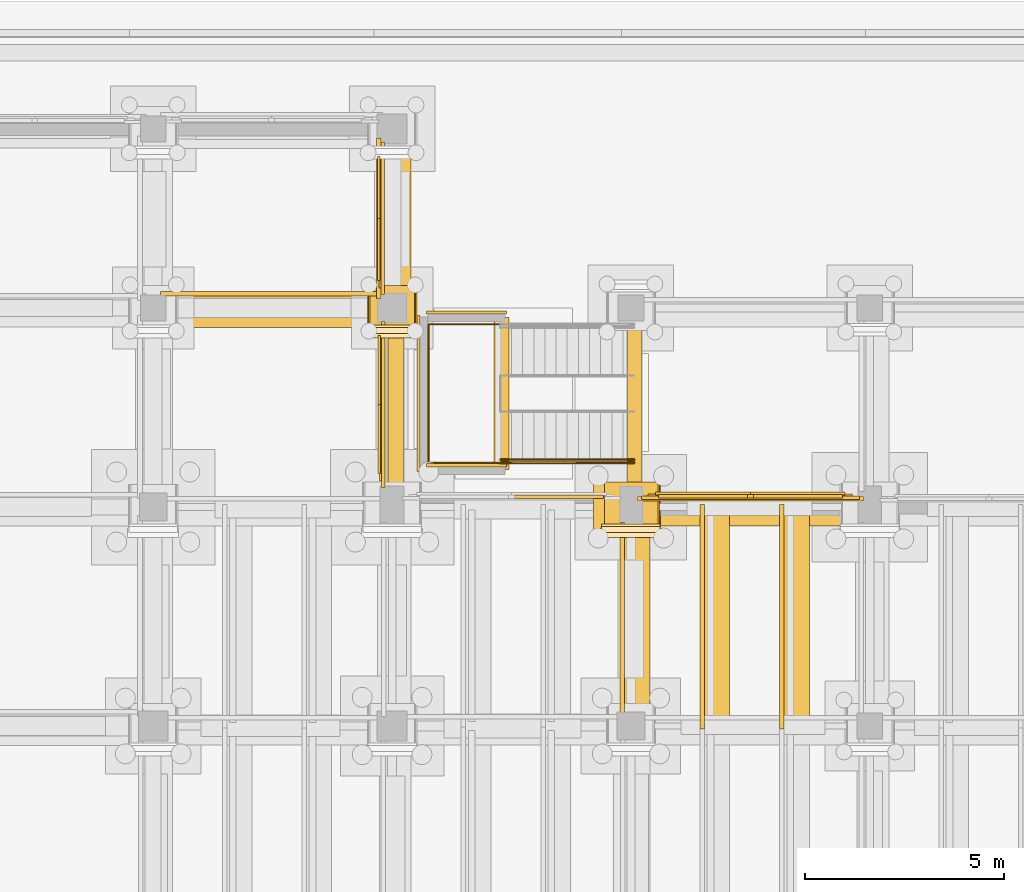
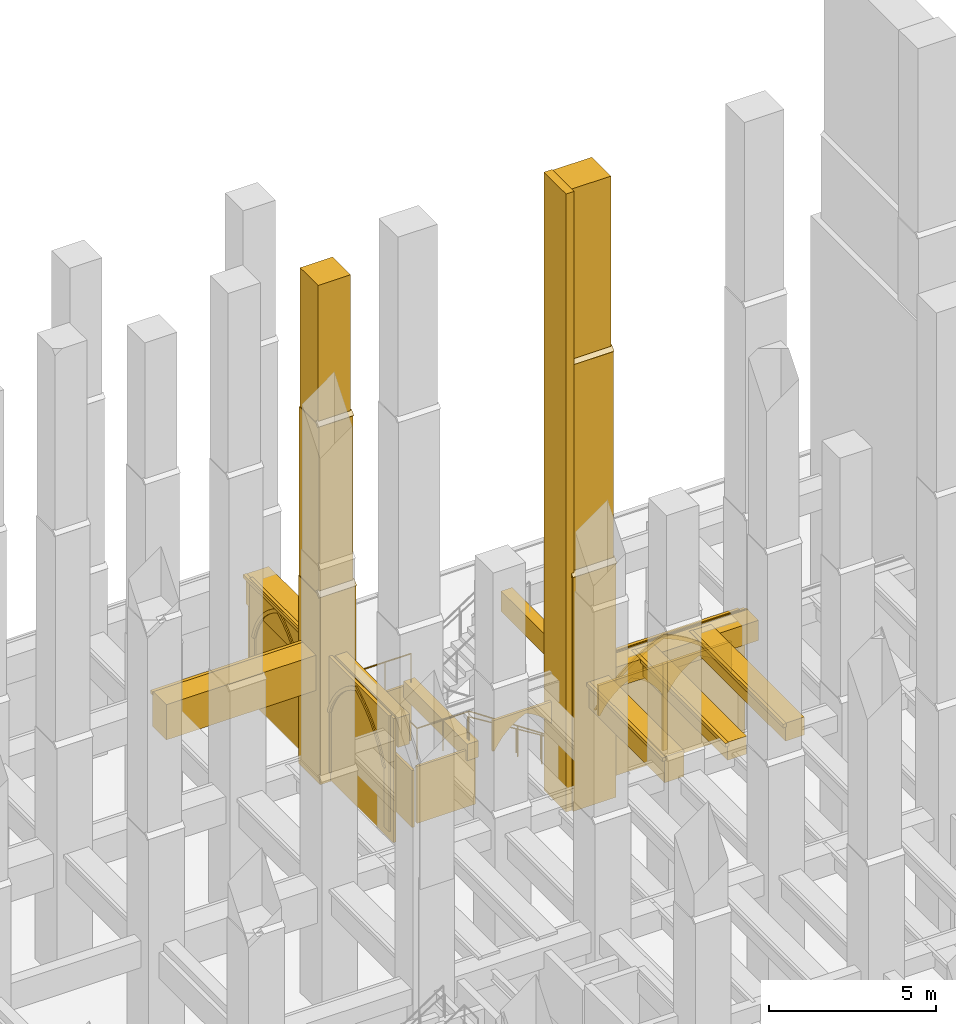
# One storey, part 113 of 135: 42 coverings, 3 railings.
"""IFC4 building model written with IfcOpenShell, lengths in metres."""

from ifc_helpers import new_model, si_unit, direction, frame, origin, origin_2d, place, context, subcontext, project, spatial, polyline, rectangle, circle, outline, extrude, material, type_object, element, save


model = new_model("IFC4")

# Units and contexts
model_context = context("Model", 3, precision=1e-05, world=origin(), true_north=direction((0.0, 1.0)))
body_context = subcontext(model_context, "Body", "Model", "MODEL_VIEW")
ifc_project = project(units=[si_unit("LENGTHUNIT", "METRE"), si_unit("AREAUNIT", "SQUARE_METRE"), si_unit("VOLUMEUNIT", "CUBIC_METRE"), si_unit("PLANEANGLEUNIT", "RADIAN"), si_unit("MASSUNIT", "GRAM", prefix="KILO")], contexts=[model_context])

# Site, building, storey
site_placement = place(None, origin())
site = spatial("IfcSite", under=ifc_project, at=site_placement, CompositionType="ELEMENT")
building_placement = place(site_placement, origin())
building = spatial("IfcBuilding", under=site, at=building_placement, Name="Cumevento Cable Car Station", CompositionType="ELEMENT")
storey_placement = place(building_placement, origin())
storey = spatial("IfcBuildingStorey", under=building, at=storey_placement, Name="L01", CompositionType="ELEMENT", Elevation=0.0)

# Railings
ifc_material_1 = material(Name="Painted Galvanised Architectural Steel", Category="steel")
railing_type_1 = type_object("IfcRailingType", Name="Stair Guardrail GR-S115", PredefinedType="GUARDRAIL", material=ifc_material_1)
railing_1_placement = place(storey_placement, frame((72.719970703125, 57.610107421875, 2.25)))
element("IfcRailing", 1, at=railing_1_placement, inside=storey, type_object=railing_type_1, Name="Stair Half-Landing Guardrail ST-17", PredefinedType="GUARDRAIL", context=body_context, shape_type="SweptSolid", body=[
    extrude(circle(Radius=0.02392578125, at=origin_2d()), frame((0.0, 0.0, 1.1259765625), z_axis=(-1.0, 0.0, 0.0), x_axis=(0.0, -1.0, 0.0)), (0.0, 0.0, 1.0), 1.800048828125),
    extrude(circle(Radius=0.02392578125, at=origin_2d()), frame((-1.800048828125, 0.0, 1.1259765625), z_axis=(0.0, 1.0, 0.0), x_axis=(-1.0, 0.0, 0.0)), (0.0, 0.0, 1.0), 3.47998046875),
    extrude(circle(Radius=0.02392578125, at=origin_2d()), frame((-1.800048828125, 3.47998046875, 1.1259765625), z_axis=(1.0, 0.0, 0.0), x_axis=(0.0, 1.0, 0.0)), (0.0, 0.0, 1.0), 1.800048828125),
    extrude(circle(Radius=0.02001953125, at=origin_2d()), origin(), (0.0, 0.0, 1.0), 1.101806640625),
    extrude(circle(Radius=0.02001953125, at=origin_2d()), frame((-0.89990234375, 0.0, 0.0)), (0.0, 0.0, 1.0), 1.101806640625),
    extrude(circle(Radius=0.02001953125, at=origin_2d()), frame((-1.800048828125, 0.0, 0.0)), (0.0, 0.0, 1.0), 1.101806640625),
    extrude(circle(Radius=0.02001953125, at=origin_2d()), frame((-1.800048828125, 0.8701171875, 0.0)), (0.0, 0.0, 1.0), 1.101806640625),
    extrude(circle(Radius=0.02001953125, at=origin_2d()), frame((-1.800048828125, 1.739990234375, 0.0)), (0.0, 0.0, 1.0), 1.101806640625),
    extrude(circle(Radius=0.02001953125, at=origin_2d()), frame((-1.800048828125, 2.60986328125, 0.0)), (0.0, 0.0, 1.0), 1.101806640625),
    extrude(circle(Radius=0.02001953125, at=origin_2d()), frame((-1.800048828125, 3.47998046875, 0.0)), (0.0, 0.0, 1.0), 1.101806640625),
    extrude(circle(Radius=0.02001953125, at=origin_2d()), frame((-0.89990234375, 3.47998046875, 0.0)), (0.0, 0.0, 1.0), 1.101806640625),
    extrude(circle(Radius=0.02001953125, at=origin_2d()), frame((0.0, 3.47998046875, 0.0)), (0.0, 0.0, 1.0), 1.101806640625),
])
railing_2_placement = place(storey_placement, frame((76.080078125, 57.610107421875, 0.0)))
element("IfcRailing", 2, at=railing_2_placement, inside=storey, type_object=railing_type_1, Name="Stair Outer Guardrail ST-17 F1", PredefinedType="GUARDRAIL", context=body_context, shape_type="SweptSolid", body=[
    extrude(circle(Radius=0.02392578125, at=origin_2d()), frame((0.0, 0.0, 1.1259765625), z_axis=(-0.830915400975, 0.0, 0.556398774641), x_axis=(0.0, -1.0, 0.0)), (0.0, 0.0, 1.0), 4.0439453125),
    extrude(circle(Radius=0.02001953125, at=origin_2d()), origin(), (0.0, 0.0, 1.0), 1.101806640625),
    extrude(circle(Radius=0.02001953125, at=origin_2d()), frame((-0.840087890625, 0.0, 0.5625)), (0.0, 0.0, 1.0), 1.101806640625),
    extrude(circle(Radius=0.02001953125, at=origin_2d()), frame((-1.68017578125, 0.0, 1.125)), (0.0, 0.0, 1.0), 1.101806640625),
    extrude(circle(Radius=0.02001953125, at=origin_2d()), frame((-2.52001953125, 0.0, 1.6875)), (0.0, 0.0, 1.0), 1.101806640625),
    extrude(circle(Radius=0.02001953125, at=origin_2d()), frame((-3.360107421875, 0.0, 2.25)), (0.0, 0.0, 1.0), 1.101806640625),
])
ifc_material_2 = material(Name="Brushed Stainless Steel Handrail Tube", Category="steel")
railing_type_2 = type_object("IfcRailingType", Name="Stair Handrail HR-090", PredefinedType="HANDRAIL", material=ifc_material_2)
railing_3_placement = place(storey_placement, frame((76.080078125, 57.68994140625, 0.17626953125)))
element("IfcRailing", 3, at=railing_3_placement, inside=storey, type_object=railing_type_2, Name="Stair Pitch Handrail ST-17 F1", PredefinedType="HANDRAIL", context=body_context, shape_type="SweptSolid", body=[
    extrude(circle(Radius=0.02099609375, at=origin_2d()), frame((0.0, 0.0, 0.87890625), z_axis=(-0.850623216509, 0.0, 0.525775754039), x_axis=(0.0, -1.0, 0.0)), (0.0, 0.0, 1.0), 3.9501953125),
    extrude(circle(Radius=0.01611328125, at=origin_2d()), origin(), (0.0, 0.0, 1.0), 0.85791015625),
    extrude(circle(Radius=0.01611328125, at=origin_2d()), frame((-0.840087890625, 0.0, 0.519287109375)), (0.0, 0.0, 1.0), 0.85791015625),
    extrude(circle(Radius=0.01611328125, at=origin_2d()), frame((-1.68017578125, 0.0, 1.03857421875)), (0.0, 0.0, 1.0), 0.85791015625),
    extrude(circle(Radius=0.01611328125, at=origin_2d()), frame((-2.52001953125, 0.0, 1.5576171875)), (0.0, 0.0, 1.0), 0.85791015625),
    extrude(circle(Radius=0.01611328125, at=origin_2d()), frame((-3.360107421875, 0.0, 2.076904296875)), (0.0, 0.0, 1.0), 0.85791015625),
])

# Coverings
ifc_material_3 = material(Name="Gnaisse Facoidal Stone Ashlar 85 MPa", Category="masonry")
covering_type = type_object("IfcCoveringType", Name="Gnaisse Ashlar Cladding CV-CL01", PredefinedType="CLADDING", material=ifc_material_3)
covering_1_placement = place(storey_placement, frame((70.0, 61.409912109375, -0.06005859375), z_axis=(0.0, 0.0, 1.0), x_axis=(1.0, 0.0, 0.0)))
element("IfcCovering", 4, at=covering_1_placement, inside=storey, type_object=covering_type, Name="Stepped Gothic Stone Buttress Tier 1 bt:70.0:61.5", PredefinedType="CLADDING", context=body_context, shape_type="SweptSolid", body=[
    extrude(rectangle(XDim=1.239990234375, YDim=1.300048828125, at=origin_2d()), origin(), (0.0, 0.0, 1.0), 6.885498046875),
])
covering_2_placement = place(storey_placement, frame((69.360107421875, 60.739990234375, 6.8056640625), z_axis=(0.0, -0.711135781079, 0.703054692658), x_axis=(1.0, 0.0, 0.0)))
element("IfcCovering", 5, at=covering_2_placement, inside=storey, type_object=covering_type, Name="Gothic Buttress Sloped Stone Weathering 1 bt:70.0:61.5", PredefinedType="CLADDING", context=body_context, shape_type="SweptSolid", body=[
    extrude(outline(polyline([(0.0, 0.0), (1.27978515625, 0.0), (1.27978515625, 0.24169083397703695), (0.0, 0.24169083397703695), (0.0, 0.0)])), origin(), (0.0, 0.0, -1.0), 0.090087890625),
])
covering_3_placement = place(storey_placement, frame((70.0, 61.469970703125, 6.46337890625), z_axis=(0.0, 0.0, 1.0), x_axis=(1.0, 0.0, 0.0)))
element("IfcCovering", 6, at=covering_3_placement, inside=storey, type_object=covering_type, Name="Stepped Gothic Stone Buttress Tier 2 bt:70.0:61.5", PredefinedType="CLADDING", context=body_context, shape_type="SweptSolid", body=[
    extrude(rectangle(XDim=1.179931640625, YDim=1.179931640625, at=origin_2d()), origin(), (0.0, 0.0, 1.0), 6.523193359375),
])
covering_4_placement = place(storey_placement, frame((69.389892578125, 60.860107421875, 12.96630859375), z_axis=(0.0, -0.714474823669, 0.699661151089), x_axis=(1.0, 0.0, 0.0)))
element("IfcCovering", 7, at=covering_4_placement, inside=storey, type_object=covering_type, Name="Gothic Buttress Sloped Stone Weathering 2 bt:70.0:61.5", PredefinedType="CLADDING", context=body_context, shape_type="SweptSolid", body=[
    extrude(outline(polyline([(0.0, 0.0), (1.22021484375, 0.0), (1.22021484375, 0.21424991728737655), (0.0, 0.21424991728737655), (0.0, 0.0)])), origin(), (0.0, 0.0, -1.0), 0.090087890625),
])
covering_5_placement = place(storey_placement, frame((70.0, 61.52001953125, 12.6240234375), z_axis=(0.0, 0.0, 1.0), x_axis=(1.0, 0.0, 0.0)))
element("IfcCovering", 8, at=covering_5_placement, inside=storey, type_object=covering_type, Name="Stepped Gothic Stone Buttress Tier 3 bt:70.0:61.5", PredefinedType="CLADDING", context=body_context, shape_type="SweptSolid", body=[
    extrude(rectangle(XDim=1.1201171875, YDim=1.080078125, at=origin_2d()), origin(), (0.0, 0.0, 1.0), 5.43603515625),
])
covering_6_placement = place(storey_placement, frame((76.0, 56.4423828125, -0.06005859375), z_axis=(0.0, 0.0, 1.0), x_axis=(1.0, 0.0, 0.0)))
element("IfcCovering", 9, at=covering_6_placement, inside=storey, type_object=covering_type, Name="Stepped Gothic Stone Buttress Tier 1 bt:76.0:56.5", PredefinedType="CLADDING", context=body_context, shape_type="SweptSolid", body=[
    extrude(rectangle(XDim=1.489990234375, YDim=1.364990234375, at=origin_2d()), origin(), (0.0, 0.0, 1.0), 8.595703125),
])
covering_7_placement = place(storey_placement, frame((75.235107421875, 55.739990234375, 8.515625), z_axis=(0.0, -0.711135781079, 0.703054692658), x_axis=(1.0, 0.0, 0.0)))
element("IfcCovering", 10, at=covering_7_placement, inside=storey, type_object=covering_type, Name="Gothic Buttress Sloped Stone Weathering 1 bt:76.0:56.5", PredefinedType="CLADDING", context=body_context, shape_type="SweptSolid", body=[
    extrude(outline(polyline([(0.0, 0.0), (1.52978515625, 0.0), (1.52978515625, 0.24169083397703695), (0.0, 0.24169083397703695), (0.0, 0.0)])), origin(), (0.0, 0.0, -1.0), 0.090087890625),
])
covering_8_placement = place(storey_placement, frame((76.0, 56.50244140625, 8.0830078125), z_axis=(0.0, 0.0, 1.0), x_axis=(1.0, 0.0, 0.0)))
element("IfcCovering", 11, at=covering_8_placement, inside=storey, type_object=covering_type, Name="Stepped Gothic Stone Buttress Tier 2 bt:76.0:56.5", PredefinedType="CLADDING", context=body_context, shape_type="SweptSolid", body=[
    extrude(rectangle(XDim=1.429931640625, YDim=1.2451171875, at=origin_2d()), origin(), (0.0, 0.0, 1.0), 8.143310546875),
])
covering_9_placement = place(storey_placement, frame((75.264892578125, 55.860107421875, 16.206298828125), z_axis=(0.0, -0.714474823669, 0.699661151089), x_axis=(1.0, 0.0, 0.0)))
element("IfcCovering", 12, at=covering_9_placement, inside=storey, type_object=covering_type, Name="Gothic Buttress Sloped Stone Weathering 2 bt:76.0:56.5", PredefinedType="CLADDING", context=body_context, shape_type="SweptSolid", body=[
    extrude(outline(polyline([(0.0, 0.0), (1.47021484375, 0.0), (1.47021484375, 0.21424991728737658), (0.0, 0.21424991728737658), (0.0, 0.0)])), origin(), (0.0, 0.0, -1.0), 0.090087890625),
])
covering_10_placement = place(storey_placement, frame((76.0, 56.552490234375, 15.77392578125), z_axis=(0.0, 0.0, 1.0), x_axis=(1.0, 0.0, 0.0)))
element("IfcCovering", 13, at=covering_10_placement, inside=storey, type_object=covering_type, Name="Stepped Gothic Stone Buttress Tier 3 bt:76.0:56.5", PredefinedType="CLADDING", context=body_context, shape_type="SweptSolid", body=[
    extrude(rectangle(XDim=1.3701171875, YDim=1.14501953125, at=origin_2d()), origin(), (0.0, 0.0, 1.0), 6.785888671875),
])
covering_11_placement = place(storey_placement, frame((75.195068359375, 56.5, -0.06005859375), z_axis=(0.0, 0.0, 1.0), x_axis=(1.0, 0.0, 0.0)))
element("IfcCovering", 14, at=covering_11_placement, inside=storey, type_object=covering_type, Name="Corner Buttress Stone Return (76.0,56.5)", PredefinedType="CLADDING", context=body_context, shape_type="SweptSolid", body=[
    extrude(rectangle(XDim=0.280029296875, YDim=1.330078125, at=origin_2d()), origin(), (0.0, 0.0, 1.0), 22.6201171875),
])
covering_12_placement = place(storey_placement, frame((79.0, 56.35009765625, 3.7431640625), z_axis=(0.0, 0.0, 1.0), x_axis=(1.0, 0.0, 0.0)))
element("IfcCovering", 15, at=covering_12_placement, inside=storey, type_object=covering_type, Name="Gothic Stone Spandrel Stringcourse sc:0125", PredefinedType="CLADDING", context=body_context, shape_type="SweptSolid", body=[
    extrude(rectangle(XDim=5.639892578125, YDim=0.659912109375, at=origin_2d()), origin(), (0.0, 0.0, 1.0), 0.737060546875),
])
covering_13_placement = place(storey_placement, frame((79.0, 56.70751953125, 4.35009765625), z_axis=(0.0, 0.0, 1.0), x_axis=(1.0, 0.0, 0.0)))
element("IfcCovering", 16, at=covering_13_placement, inside=storey, type_object=covering_type, Name="Gothic Cornice Dripstone Lip sc:0125", PredefinedType="CLADDING", context=body_context, shape_type="SweptSolid", body=[
    extrude(rectangle(XDim=5.679931640625, YDim=0.114990234375, at=origin_2d()), origin(), (0.0, 0.0, 1.0), 0.1298828125),
])
covering_14_placement = place(storey_placement, frame((76.14306640625, 53.66259765625, 3.5419921875), z_axis=(0.0, 0.0, 1.0), x_axis=(0.0, 1.0, 0.0)))
element("IfcCovering", 17, at=covering_14_placement, inside=storey, type_object=covering_type, Name="Gothic Stone Spandrel Stringcourse sc:0130", PredefinedType="CLADDING", context=body_context, shape_type="SweptSolid", body=[
    extrude(rectangle(XDim=4.864990234375, YDim=0.674072265625, at=origin_2d()), origin(), (0.0, 0.0, 1.0), 0.947998046875),
])
covering_15_placement = place(storey_placement, frame((75.778564453125, 53.66259765625, 4.360107421875), z_axis=(0.0, 0.0, 1.0), x_axis=(0.0, 1.0, 0.0)))
element("IfcCovering", 18, at=covering_15_placement, inside=storey, type_object=covering_type, Name="Gothic Cornice Dripstone Lip sc:0130", PredefinedType="CLADDING", context=body_context, shape_type="SweptSolid", body=[
    extrude(rectangle(XDim=4.905029296875, YDim=0.114990234375, at=origin_2d()), origin(), (0.0, 0.0, 1.0), 0.1298828125),
])
covering_16_placement = place(storey_placement, frame((66.97509765625, 61.419921875, 3.239990234375), z_axis=(0.0, 0.0, 1.0), x_axis=(1.0, 0.0, 0.0)))
element("IfcCovering", 19, at=covering_16_placement, inside=storey, type_object=covering_type, Name="Gothic Stone Spandrel Stringcourse sc:0162", PredefinedType="CLADDING", context=body_context, shape_type="SweptSolid", body=[
    extrude(rectangle(XDim=5.5400390625, YDim=0.820068359375, at=origin_2d()), origin(), (0.0, 0.0, 1.0), 1.2900390625),
])
covering_17_placement = place(storey_placement, frame((66.97509765625, 61.857421875, 4.400146484375), z_axis=(0.0, 0.0, 1.0), x_axis=(1.0, 0.0, 0.0)))
element("IfcCovering", 20, at=covering_17_placement, inside=storey, type_object=covering_type, Name="Gothic Cornice Dripstone Lip sc:0162", PredefinedType="CLADDING", context=body_context, shape_type="SweptSolid", body=[
    extrude(rectangle(XDim=5.580078125, YDim=0.114990234375, at=origin_2d()), origin(), (0.0, 0.0, 1.0), 0.1298828125),
])
covering_18_placement = place(storey_placement, frame((70.1025390625, 59.074951171875, 3.39990234375), z_axis=(0.0, 0.0, 1.0), x_axis=(0.0, 1.0, 0.0)))
element("IfcCovering", 21, at=covering_18_placement, inside=storey, type_object=covering_type, Name="Gothic Stone Spandrel Stringcourse sc:0172", PredefinedType="CLADDING", context=body_context, shape_type="SweptSolid", body=[
    extrude(rectangle(XDim=4.159912109375, YDim=0.405029296875, at=origin_2d()), origin(), (0.0, 0.0, 1.0), 1.090087890625),
])
covering_19_placement = place(storey_placement, frame((70.08740234375, 63.75, 3.43994140625), z_axis=(0.0, 0.0, 1.0), x_axis=(0.0, 1.0, 0.0)))
element("IfcCovering", 22, at=covering_19_placement, inside=storey, type_object=covering_type, Name="Gothic Stone Spandrel Stringcourse sc:0173", PredefinedType="CLADDING", context=body_context, shape_type="SweptSolid", body=[
    extrude(rectangle(XDim=3.989990234375, YDim=0.784912109375, at=origin_2d()), origin(), (0.0, 0.0, 1.0), 1.090087890625),
])
covering_20_placement = place(storey_placement, frame((69.66748046875, 63.75, 4.400146484375), z_axis=(0.0, 0.0, 1.0), x_axis=(0.0, 1.0, 0.0)))
element("IfcCovering", 23, at=covering_20_placement, inside=storey, type_object=covering_type, Name="Gothic Cornice Dripstone Lip sc:0173", PredefinedType="CLADDING", context=body_context, shape_type="SweptSolid", body=[
    extrude(rectangle(XDim=4.030029296875, YDim=0.114990234375, at=origin_2d()), origin(), (0.0, 0.0, 1.0), 0.1298828125),
])
covering_21_placement = place(storey_placement, frame((78.14990234375, 53.742431640625, 3.8330078125), z_axis=(0.0, 0.0, 1.0), x_axis=(0.0, 1.0, 0.0)))
element("IfcCovering", 24, at=covering_21_placement, inside=storey, type_object=covering_type, Name="Gothic Stone Spandrel Stringcourse sc:0267", PredefinedType="CLADDING", context=body_context, shape_type="SweptSolid", body=[
    extrude(rectangle(XDim=5.60107421875, YDim=0.659912109375, at=origin_2d()), origin(), (0.0, 0.0, 1.0), 0.656982421875),
])
covering_22_placement = place(storey_placement, frame((77.79248046875, 53.742431640625, 4.360107421875), z_axis=(0.0, 0.0, 1.0), x_axis=(0.0, 1.0, 0.0)))
element("IfcCovering", 25, at=covering_22_placement, inside=storey, type_object=covering_type, Name="Gothic Cornice Dripstone Lip sc:0267", PredefinedType="CLADDING", context=body_context, shape_type="SweptSolid", body=[
    extrude(rectangle(XDim=5.64111328125, YDim=0.114990234375, at=origin_2d()), origin(), (0.0, 0.0, 1.0), 0.1298828125),
])
covering_23_placement = place(storey_placement, frame((80.14990234375, 53.742431640625, 3.8330078125), z_axis=(0.0, 0.0, 1.0), x_axis=(0.0, 1.0, 0.0)))
element("IfcCovering", 26, at=covering_23_placement, inside=storey, type_object=covering_type, Name="Gothic Stone Spandrel Stringcourse sc:0269", PredefinedType="CLADDING", context=body_context, shape_type="SweptSolid", body=[
    extrude(rectangle(XDim=5.60107421875, YDim=0.659912109375, at=origin_2d()), origin(), (0.0, 0.0, 1.0), 0.656982421875),
])
covering_24_placement = place(storey_placement, frame((79.79248046875, 53.742431640625, 4.360107421875), z_axis=(0.0, 0.0, 1.0), x_axis=(0.0, 1.0, 0.0)))
element("IfcCovering", 27, at=covering_24_placement, inside=storey, type_object=covering_type, Name="Gothic Cornice Dripstone Lip sc:0269", PredefinedType="CLADDING", context=body_context, shape_type="SweptSolid", body=[
    extrude(rectangle(XDim=5.64111328125, YDim=0.114990234375, at=origin_2d()), origin(), (0.0, 0.0, 1.0), 0.1298828125),
])
covering_25_placement = place(storey_placement, frame((76.090087890625, 59.10009765625, 3.73291015625), z_axis=(0.0, 0.0, 1.0), x_axis=(0.0, 1.0, 0.0)))
element("IfcCovering", 28, at=covering_25_placement, inside=storey, type_object=covering_type, Name="Gothic Stone Spandrel Stringcourse sc:0845", PredefinedType="CLADDING", context=body_context, shape_type="SweptSolid", body=[
    extrude(rectangle(XDim=4.2099609375, YDim=0.3798828125, at=origin_2d()), origin(), (0.0, 0.0, 1.0), 0.7470703125),
])
covering_26_placement = place(storey_placement, frame((72.75, 59.35009765625, 1.717041015625), z_axis=(0.0, 0.0, 1.0), x_axis=(0.0, 1.0, 0.0)))
element("IfcCovering", 29, at=covering_26_placement, inside=storey, type_object=covering_type, Name="Gothic Stone Spandrel Stringcourse sc:0851", PredefinedType="CLADDING", context=body_context, shape_type="SweptSolid", body=[
    extrude(rectangle(XDim=3.820068359375, YDim=0.3798828125, at=origin_2d()), origin(), (0.0, 0.0, 1.0), 0.60595703125),
])
covering_27_placement = place(storey_placement, frame((73.044921875, 56.5, 2.340087890625), z_axis=(0.0, 0.0, 1.0), x_axis=(1.0, 0.0, 0.0)))
element("IfcCovering", 30, at=covering_27_placement, inside=storey, type_object=covering_type, Name="Gothic Ogival Pointed-Arch Stone Spandrel blind_ogival:0034:sub:1", PredefinedType="CLADDING", context=body_context, shape_type="SweptSolid", body=[
    extrude(outline(polyline([(-0.02001953125, 0.0), (-0.02001953125, 1.115966796875), (2.264892578125, 1.115966796875), (2.264892578125, 0.0), (2.205078125, 0.0), (2.076171875, 0.214111328125), (1.923828125, 0.412109375), (1.75, 0.591552734375), (1.556640625, 0.75), (1.3466796875, 0.88525390625), (1.12255859375, 0.99609375), (0.8984375, 0.88525390625), (0.6884765625, 0.75), (0.4951171875, 0.591552734375), (0.3212890625, 0.412109375), (0.1689453125, 0.214111328125), (0.0400390625, 0.0), (-0.02001953125, 0.0)])), frame((0.0, 0.301513671875, 0.0), z_axis=(0.0, -1.0, 0.0), x_axis=(1.0, 0.0, 0.0)), (0.0, 0.0, 1.0), 0.090087890625),
])
covering_28_placement = place(storey_placement, frame((76.300048828125, 56.5, 0.0), z_axis=(0.0, 0.0, 1.0), x_axis=(1.0, 0.0, 0.0)))
element("IfcCovering", 31, at=covering_28_placement, inside=storey, type_object=covering_type, Name="Exterior Gnaisse Stone Wall Ashlar #35", PredefinedType="CLADDING", context=body_context, shape_type="SweptSolid", body=[
    extrude(outline(polyline([(-0.0400390625, -0.02001953125), (5.43994140625, -0.02001953125), (5.43994140625, 4.52001953125), (-0.0400390625, 4.52001953125), (-0.0400390625, -0.02001953125)])), frame((0.0, 0.27490234375, 0.0), z_axis=(0.0, -1.0, 0.0), x_axis=(1.0, 0.0, 0.0)), (0.0, 0.0, 1.0), 0.0849609375),
])
placement = place(storey_placement, frame((76.47998046875, 56.5, 0.300048828125), z_axis=(0.0, 0.0, 1.0), x_axis=(1.0, 0.0, 0.0)))
element("IfcCovering", 32, at=placement, inside=storey, type_object=covering_type, Name="Gothic Ogival Pointed-Arch Stone Spandrel blind_ogival:0035", PredefinedType="CLADDING", context=body_context, shape_type="SweptSolid", body=[
    extrude(outline(polyline([(-0.050048828125, 0.0), (-0.050048828125, 4.239990234375), (5.090087890625, 4.239990234375), (5.090087890625, 0.0), (4.780029296875, 0.0), (4.780029296875, 2.219970703125), (4.531982421875, 2.55810546875), (4.255126953125, 2.872802734375), (3.951416015625, 3.161865234375), (3.62353515625, 3.423095703125), (3.273681640625, 3.654296875), (2.905029296875, 3.853759765625), (2.52001953125, 4.02001953125), (2.135009765625, 3.853759765625), (1.766357421875, 3.654296875), (1.41650390625, 3.423095703125), (1.088623046875, 3.161865234375), (0.784912109375, 2.872802734375), (0.508056640625, 2.55810546875), (0.260009765625, 2.219970703125), (0.260009765625, 0.0), (-0.050048828125, 0.0)])), frame((0.0, 0.330078125, 0.0), z_axis=(0.0, -1.0, 0.0), x_axis=(1.0, 0.0, 0.0)), (0.0, 0.0, 1.0), 0.110107421875),
])
covering_30_placement = place(storey_placement, frame((76.47998046875, 56.5, 2.52001953125), z_axis=(0.0, 0.0, 1.0), x_axis=(1.0, 0.0, 0.0)))
element("IfcCovering", 33, at=covering_30_placement, inside=storey, type_object=covering_type, Name="Gothic Pointed Archivolt Hood Moulding blind_ogival:0035", PredefinedType="CLADDING", context=body_context, shape_type="SweptSolid", body=[
    extrude(outline(polyline([(0.260009765625, 0.0), (0.508056640625, 0.338134765625), (0.784912109375, 0.65283203125), (1.088623046875, 0.94189453125), (1.41650390625, 1.203125), (1.766357421875, 1.434326171875), (2.135009765625, 1.6337890625), (2.52001953125, 1.800048828125), (2.905029296875, 1.6337890625), (3.273681640625, 1.434326171875), (3.62353515625, 1.203125), (3.951416015625, 0.94189453125), (4.255126953125, 0.65283203125), (4.531982421875, 0.338134765625), (4.780029296875, 0.0), (4.90087890625, 0.0), (4.6435546875, 0.365478515625), (4.354248046875, 0.706298828125), (4.03564453125, 1.01953125), (3.689697265625, 1.302978515625), (3.31982421875, 1.553955078125), (2.928955078125, 1.770751953125), (2.52001953125, 1.951171875), (2.111083984375, 1.770751953125), (1.72021484375, 1.553955078125), (1.350341796875, 1.302978515625), (1.00439453125, 1.01953125), (0.685791015625, 0.706298828125), (0.396484375, 0.365478515625), (0.138916015625, 0.0), (0.260009765625, 0.0)])), frame((0.0, 0.3720703125, 0.0), z_axis=(0.0, -1.0, 0.0), x_axis=(1.0, 0.0, 0.0)), (0.0, 0.0, 1.0), 0.06689453125),
])
element("IfcCovering", 34, at=placement, inside=storey, type_object=covering_type, Name="Gothic Bifora Stone Colonnette blind_ogival:0035 #1", PredefinedType="CLADDING", context=body_context, shape_type="SweptSolid", body=[
    extrude(outline(polyline([(2.445068359375, -0.02001953125), (2.594970703125, -0.02001953125), (2.594970703125, 3.156005859375), (2.445068359375, 3.156005859375), (2.445068359375, -0.02001953125)])), frame((0.0, 0.318115234375, 0.0), z_axis=(0.0, -1.0, 0.0), x_axis=(1.0, 0.0, 0.0)), (0.0, 0.0, 1.0), 0.094970703125),
])
for number, where, z_axis, x_axis, name in (
    (35, (76.7099609375, 56.5, 2.340087890625), (0.0, 0.0, 1.0), (1.0, 0.0, 0.0), "Gothic Ogival Pointed-Arch Stone Spandrel blind_ogival:0035:sub:0"),
    (36, (79.044921875, 56.5, 2.340087890625), (0.0, 0.0, 1.0), (1.0, 0.0, 0.0), "Gothic Ogival Pointed-Arch Stone Spandrel blind_ogival:0035:sub:1"),
):
    element("IfcCovering", number, at=place(storey_placement, frame(where, z_axis=z_axis, x_axis=x_axis)), inside=storey, type_object=covering_type, Name=name, PredefinedType="CLADDING", context=body_context, shape_type="SweptSolid", body=[
        extrude(outline(polyline([(-0.02001953125, 0.0), (-0.02001953125, 1.115966796875), (2.264892578125, 1.115966796875), (2.264892578125, 0.0), (2.205078125, 0.0), (2.076171875, 0.214111328125), (1.923828125, 0.412109375), (1.75, 0.591552734375), (1.556640625, 0.75), (1.3466796875, 0.88525390625), (1.12255859375, 0.99609375), (0.8984375, 0.88525390625), (0.6884765625, 0.75), (0.4951171875, 0.591552734375), (0.3212890625, 0.412109375), (0.1689453125, 0.214111328125), (0.0400390625, 0.0), (-0.02001953125, 0.0)])), frame((0.0, 0.31396484375, 0.0), z_axis=(0.0, -1.0, 0.0), x_axis=(1.0, 0.0, 0.0)), (0.0, 0.0, 1.0), 0.090087890625),
    ])
covering_32_placement = place(storey_placement, frame((70.0, 57.02490234375, 0.0), z_axis=(0.0, 0.0, 1.0), x_axis=(0.0, 1.0, 0.0)))
element("IfcCovering", 37, at=covering_32_placement, inside=storey, type_object=covering_type, Name="Exterior Gnaisse Stone Wall Ashlar #64", PredefinedType="CLADDING", context=body_context, shape_type="SweptSolid", body=[
    extrude(outline(polyline([(-0.0400390625, -0.02001953125), (4.139892578125, -0.02001953125), (4.139892578125, 4.52001953125), (-0.0400390625, 4.52001953125), (-0.0400390625, -0.02001953125)])), frame((0.0, 0.262451171875, 0.0), z_axis=(0.0, -1.0, 0.0), x_axis=(1.0, 0.0, 0.0)), (0.0, 0.0, 1.0), 0.0849609375),
])
covering_33_placement = place(storey_placement, frame((70.0, 57.205078125, 0.300048828125), z_axis=(0.0, 0.0, 1.0), x_axis=(0.0, 1.0, 0.0)))
element("IfcCovering", 38, at=covering_33_placement, inside=storey, type_object=covering_type, Name="Gothic Ogival Pointed-Arch Stone Spandrel blind_ogival:0064", PredefinedType="CLADDING", context=body_context, shape_type="SweptSolid", body=[
    extrude(outline(polyline([(-0.050048828125, 0.0), (-0.050048828125, 4.239990234375), (3.7900390625, 4.239990234375), (3.7900390625, 0.0), (3.47998046875, 0.0), (3.47998046875, 2.219970703125), (3.343017578125, 2.5458984375), (3.170654296875, 2.854736328125), (2.965576171875, 3.142578125), (2.729736328125, 3.40625), (2.466552734375, 3.64208984375), (2.1787109375, 3.84765625), (1.8701171875, 4.02001953125), (1.561279296875, 3.84765625), (1.2734375, 3.64208984375), (1.01025390625, 3.40625), (0.7744140625, 3.142578125), (0.5693359375, 2.854736328125), (0.39697265625, 2.5458984375), (0.260009765625, 2.219970703125), (0.260009765625, 0.0), (-0.050048828125, 0.0)])), frame((0.0, 0.3173828125, 0.0), z_axis=(0.0, -1.0, 0.0), x_axis=(1.0, 0.0, 0.0)), (0.0, 0.0, 1.0), 0.110107421875),
])
covering_34_placement = place(storey_placement, frame((70.0, 57.205078125, 2.52001953125), z_axis=(0.0, 0.0, 1.0), x_axis=(0.0, 1.0, 0.0)))
element("IfcCovering", 39, at=covering_34_placement, inside=storey, type_object=covering_type, Name="Gothic Pointed Archivolt Hood Moulding blind_ogival:0064", PredefinedType="CLADDING", context=body_context, shape_type="SweptSolid", body=[
    extrude(outline(polyline([(0.260009765625, 0.0), (0.39697265625, 0.325927734375), (0.5693359375, 0.634765625), (0.7744140625, 0.922607421875), (1.01025390625, 1.186279296875), (1.2734375, 1.422119140625), (1.561279296875, 1.627685546875), (1.8701171875, 1.800048828125), (2.1787109375, 1.627685546875), (2.466552734375, 1.422119140625), (2.729736328125, 1.186279296875), (2.965576171875, 0.922607421875), (3.170654296875, 0.634765625), (3.343017578125, 0.325927734375), (3.47998046875, 0.0), (3.60107421875, 0.0), (3.454833984375, 0.35302734375), (3.2705078125, 0.6875), (3.05029296875, 0.99951171875), (2.796875, 1.285400390625), (2.51318359375, 1.541259765625), (2.203125, 1.76416015625), (1.8701171875, 1.951171875), (1.536865234375, 1.76416015625), (1.226806640625, 1.541259765625), (0.943115234375, 1.285400390625), (0.689697265625, 0.99951171875), (0.469482421875, 0.6875), (0.28515625, 0.35302734375), (0.138916015625, 0.0), (0.260009765625, 0.0)])), frame((0.0, 0.359619140625, 0.0), z_axis=(0.0, -1.0, 0.0), x_axis=(1.0, 0.0, 0.0)), (0.0, 0.0, 1.0), 0.06689453125),
])
covering_35_placement = place(storey_placement, frame((70.0, 61.875, 0.0), z_axis=(0.0, 0.0, 1.0), x_axis=(0.0, 1.0, 0.0)))
element("IfcCovering", 40, at=covering_35_placement, inside=storey, type_object=covering_type, Name="Exterior Gnaisse Stone Wall Ashlar #65", PredefinedType="CLADDING", context=body_context, shape_type="SweptSolid", body=[
    extrude(outline(polyline([(-0.0400390625, -0.02001953125), (3.7900390625, -0.02001953125), (3.7900390625, 4.52001953125), (-0.0400390625, 4.52001953125), (-0.0400390625, -0.02001953125)])), frame((0.0, 0.27490234375, 0.0), z_axis=(0.0, -1.0, 0.0), x_axis=(1.0, 0.0, 0.0)), (0.0, 0.0, 1.0), 0.0849609375),
])
covering_36_placement = place(storey_placement, frame((70.0, 62.054931640625, 0.300048828125), z_axis=(0.0, 0.0, 1.0), x_axis=(0.0, 1.0, 0.0)))
element("IfcCovering", 41, at=covering_36_placement, inside=storey, type_object=covering_type, Name="Gothic Ogival Pointed-Arch Stone Spandrel blind_ogival:0065", PredefinedType="CLADDING", context=body_context, shape_type="SweptSolid", body=[
    extrude(outline(polyline([(-0.050048828125, 0.0), (-0.050048828125, 4.239990234375), (3.43994140625, 4.239990234375), (3.43994140625, 0.0), (3.1298828125, 0.0), (3.1298828125, 2.219970703125), (3.02392578125, 2.541015625), (2.880615234375, 2.847412109375), (2.702392578125, 3.135009765625), (2.49169921875, 3.3994140625), (2.251220703125, 3.63720703125), (1.984375, 3.844970703125), (1.695068359375, 4.02001953125), (1.405517578125, 3.844970703125), (1.138671875, 3.63720703125), (0.898193359375, 3.3994140625), (0.6875, 3.135009765625), (0.50927734375, 2.847412109375), (0.365966796875, 2.541015625), (0.260009765625, 2.219970703125), (0.260009765625, 0.0), (-0.050048828125, 0.0)])), frame((0.0, 0.330078125, 0.0), z_axis=(0.0, -1.0, 0.0), x_axis=(1.0, 0.0, 0.0)), (0.0, 0.0, 1.0), 0.110107421875),
])
covering_37_placement = place(storey_placement, frame((70.0, 62.054931640625, 2.52001953125), z_axis=(0.0, 0.0, 1.0), x_axis=(0.0, 1.0, 0.0)))
element("IfcCovering", 42, at=covering_37_placement, inside=storey, type_object=covering_type, Name="Gothic Pointed Archivolt Hood Moulding blind_ogival:0065", PredefinedType="CLADDING", context=body_context, shape_type="SweptSolid", body=[
    extrude(outline(polyline([(0.260009765625, 0.0), (0.365966796875, 0.321044921875), (0.50927734375, 0.62744140625), (0.6875, 0.9150390625), (0.898193359375, 1.179443359375), (1.138671875, 1.417236328125), (1.405517578125, 1.625), (1.695068359375, 1.800048828125), (1.984375, 1.625), (2.251220703125, 1.417236328125), (2.49169921875, 1.179443359375), (2.702392578125, 0.9150390625), (2.880615234375, 0.62744140625), (3.02392578125, 0.321044921875), (3.1298828125, 0.0), (3.2509765625, 0.0), (3.1357421875, 0.34814453125), (2.98046875, 0.68017578125), (2.787353515625, 0.991943359375), (2.55859375, 1.278564453125), (2.2978515625, 1.536376953125), (2.0087890625, 1.761474609375), (1.695068359375, 1.951171875), (1.381103515625, 1.761474609375), (1.092041015625, 1.536376953125), (0.831298828125, 1.278564453125), (0.6025390625, 0.991943359375), (0.409423828125, 0.68017578125), (0.254150390625, 0.34814453125), (0.138916015625, 0.0), (0.260009765625, 0.0)])), frame((0.0, 0.3720703125, 0.0), z_axis=(0.0, -1.0, 0.0), x_axis=(1.0, 0.0, 0.0)), (0.0, 0.0, 1.0), 0.06689453125),
])
covering_38_placement = place(storey_placement, frame((70.780029296875, 57.429931640625, 0.0), z_axis=(0.0, 0.0, 1.0), x_axis=(0.0, 1.0, 0.0)))
element("IfcCovering", 43, at=covering_38_placement, inside=storey, type_object=covering_type, Name="Exterior Gnaisse Stone Wall Ashlar #319", PredefinedType="CLADDING", context=body_context, shape_type="SweptSolid", body=[
    extrude(outline(polyline([(-0.0400390625, -0.02001953125), (3.8798828125, -0.02001953125), (3.8798828125, 2.06298828125), (-0.0400390625, 2.06298828125), (-0.0400390625, -0.02001953125)])), frame((0.0, 0.159912109375, 0.0), z_axis=(0.0, -1.0, 0.0), x_axis=(1.0, 0.0, 0.0)), (0.0, 0.0, 1.0), 0.0849609375),
])
for number, where, z_axis, x_axis, name in (
    (44, (70.89990234375, 57.429931640625, 0.0), (0.0, 0.0, 1.0), (1.0, 0.0, 0.0), "Exterior Gnaisse Stone Wall Ashlar #320"),
    (45, (70.89990234375, 61.27001953125, 0.0), (0.0, 0.0, 1.0), (1.0, 0.0, 0.0), "Exterior Gnaisse Stone Wall Ashlar #321"),
):
    element("IfcCovering", number, at=place(storey_placement, frame(where, z_axis=z_axis, x_axis=x_axis)), inside=storey, type_object=covering_type, Name=name, PredefinedType="CLADDING", context=body_context, shape_type="SweptSolid", body=[
        extrude(outline(polyline([(-0.0400390625, -0.02001953125), (1.97998046875, -0.02001953125), (1.97998046875, 2.06298828125), (-0.0400390625, 2.06298828125), (-0.0400390625, -0.02001953125)])), frame((0.0, 0.159912109375, 0.0), z_axis=(0.0, -1.0, 0.0), x_axis=(1.0, 0.0, 0.0)), (0.0, 0.0, 1.0), 0.0849609375),
    ])

save(model, "model.ifc")
